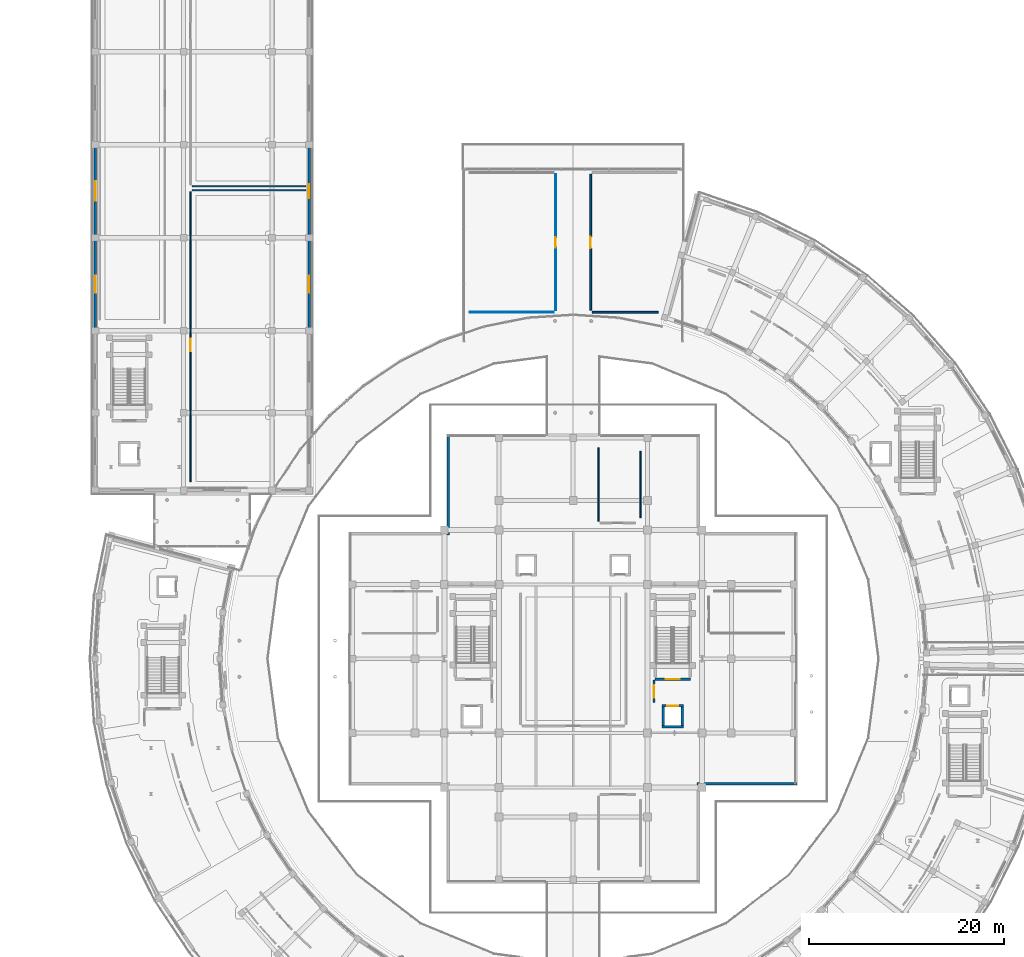
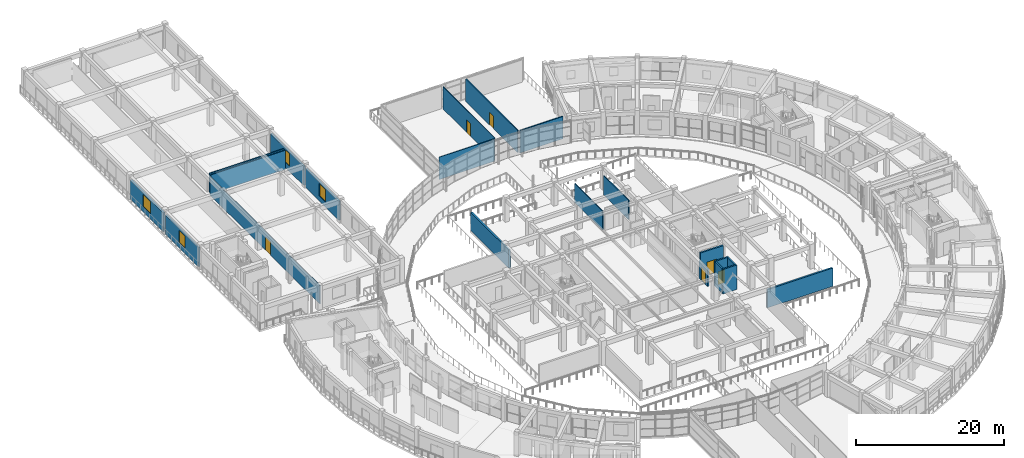
# One storey, part 59 of 83: 21 walls, 6 doors, 4 windows, 10 openings.
"""IFC4 building model written with IfcOpenShell, lengths in metres."""

from ifc_helpers import new_model, si_unit, direction, frame, frame_2d, origin, place, context, subcontext, project, spatial, rectangle, extrude, material, layer, layer_set, type_object, element, fill, save


model = new_model("IFC4")

# Units and contexts
model_context = context("Model", 3, precision=1e-05, world=origin(), true_north=direction((0.0, 1.0)))
body_context = subcontext(model_context, "Body", "Model", "MODEL_VIEW")
ifc_project = project(units=[si_unit("LENGTHUNIT", "METRE"), si_unit("AREAUNIT", "SQUARE_METRE"), si_unit("VOLUMEUNIT", "CUBIC_METRE"), si_unit("PLANEANGLEUNIT", "RADIAN"), si_unit("MASSUNIT", "GRAM", prefix="KILO")], contexts=[model_context])

# Site, building, storey
site_placement = place(None, origin())
site = spatial("IfcSite", under=ifc_project, at=site_placement, CompositionType="ELEMENT")
building_placement = place(site_placement, origin())
building = spatial("IfcBuilding", under=site, at=building_placement, Name="Saryqyr Civic Hall", CompositionType="ELEMENT")
storey_placement = place(building_placement, frame((0.0, 0.0, 9.14990234375)))
storey = spatial("IfcBuildingStorey", under=building, at=storey_placement, Name="L02", CompositionType="ELEMENT", Elevation=9.14990234375)

# Walls
ifc_material_1 = material(Name="Precast concrete C40/50", Category="concrete")
ifc_layer_1 = layer(ifc_material_1, 0.27001953125, Name="Precast concrete C40/50")
ifc_layer_set_1 = layer_set([ifc_layer_1], Name="Precast concrete C40/50")
wall_type_1 = type_object("IfcWallType", Name="ENV-WAL-EXT-270", PredefinedType="STANDARD", material=ifc_layer_set_1)
for number, where, z_axis, x_axis, name in (
    (1, (44.199951171875, 96.679931640625, 0.0), (0.0, 0.0, 1.0), (0.0, 1.0, 0.0), "Exterior wall V1-EW-L02-04"),
    (2, (79.919921875, 71.199951171875, 0.0), (0.0, 0.0, 1.0), (-1.0, 0.0, 0.0), "Exterior wall V1-EW-L02-09"),
):
    element("IfcWall", number, at=place(storey_placement, frame(where, z_axis=z_axis, x_axis=x_axis)), inside=storey, type_object=wall_type_1, Name=name, PredefinedType="STANDARD", context=body_context, shape_type="SweptSolid", body=[
        extrude(rectangle(XDim=10.239990234375, YDim=0.27001953125, at=frame_2d((5.1201171875, 0.0))), origin(), (0.0, 0.0, 1.0), 3.01513671875),
    ])

# Wall, opening, window
wall_1_placement = place(storey_placement, frame((29.949951171875, 136.375, 0.0), z_axis=(0.0, 0.0, 1.0), x_axis=(0.0, -1.0, 0.0)))
wall_1 = element("IfcWall", 3, at=wall_1_placement, inside=storey, type_object=wall_type_1, Name="Exterior wall V3-EW-L02-1-3", PredefinedType="STANDARD", context=body_context, shape_type="SweptSolid", body=[
    extrude(rectangle(XDim=8.9599609375, YDim=0.27001953125, at=frame_2d((4.47998046875, 0.0))), origin(), (0.0, 0.0, 1.0), 3.155029296875),
])
opening_1_placement = place(wall_1_placement, frame((3.780029296875, 0.0, 0.85009765625)))
opening_1 = element("IfcOpeningElement", 4, at=opening_1_placement, cuts=wall_1, Name="Opening W-31", PredefinedType="OPENING", context=body_context, shape_type="SweptSolid", body=[
    extrude(rectangle(XDim=1.39990234375, YDim=2.050048828125, at=frame_2d((0.699951171875, 1.02490234375))), frame((0.0, 0.14501953125, 0.0), z_axis=(0.0, -1.0, 0.0), x_axis=(1.0, 0.0, 0.0)), (0.0, 0.0, 1.0), 0.2900390625),
])
ifc_material_2 = material(Name="Anodised aluminium and triple low-E glass", Category="aluminium")
window_type_1 = type_object("IfcWindowType", Name="ENV-WIN-W31", PartitioningType="SINGLE_PANEL", PredefinedType="WINDOW", material=ifc_material_2)
window_1_placement = place(opening_1_placement, origin())
window_1 = element("IfcWindow", 5, at=window_1_placement, inside=storey, type_object=window_type_1, Name="Library window L02-1-3", OverallHeight=2.050048828125, OverallWidth=1.39990234375, PartitioningType="SINGLE_PANEL", PredefinedType="WINDOW", context=body_context, shape_type="SweptSolid", body=[
    extrude(rectangle(XDim=1.39990234375, YDim=2.050048828125, at=frame_2d((0.699951171875, 1.02490234375))), frame((0.0, 0.030029296875, 0.0), z_axis=(0.0, -1.0, 0.0), x_axis=(1.0, 0.0, 0.0)), (0.0, 0.0, 1.0), 0.06005859375),
])
fill(opening_1, window_1)

wall_2_placement = place(storey_placement, frame((29.949951171875, 126.844970703125, 0.0), z_axis=(0.0, 0.0, 1.0), x_axis=(0.0, -1.0, 0.0)))
wall_2 = element("IfcWall", 6, at=wall_2_placement, inside=storey, type_object=wall_type_1, Name="Exterior wall V3-EW-L02-1-4", PredefinedType="STANDARD", context=body_context, shape_type="SweptSolid", body=[
    extrude(rectangle(XDim=8.9599609375, YDim=0.27001953125, at=frame_2d((4.47998046875, 0.0))), origin(), (0.0, 0.0, 1.0), 3.155029296875),
])
opening_2_placement = place(wall_2_placement, frame((3.6298828125, 0.0, 0.85009765625)))
opening_2 = element("IfcOpeningElement", 7, at=opening_2_placement, cuts=wall_2, Name="Opening W-32", PredefinedType="OPENING", context=body_context, shape_type="SweptSolid", body=[
    extrude(rectangle(XDim=1.699951171875, YDim=2.050048828125, at=frame_2d((0.85009765625, 1.02490234375))), frame((0.0, 0.14501953125, 0.0), z_axis=(0.0, -1.0, 0.0), x_axis=(1.0, 0.0, 0.0)), (0.0, 0.0, 1.0), 0.2900390625),
])
window_type_2 = type_object("IfcWindowType", Name="ENV-WIN-W32", PartitioningType="SINGLE_PANEL", PredefinedType="WINDOW", material=ifc_material_2)
window_2_placement = place(opening_2_placement, origin())
window_2 = element("IfcWindow", 8, at=window_2_placement, inside=storey, type_object=window_type_2, Name="Library window L02-1-4", OverallHeight=2.050048828125, OverallWidth=1.699951171875, PartitioningType="SINGLE_PANEL", PredefinedType="WINDOW", context=body_context, shape_type="SweptSolid", body=[
    extrude(rectangle(XDim=1.699951171875, YDim=2.050048828125, at=frame_2d((0.85009765625, 1.02490234375))), frame((0.0, 0.030029296875, 0.0), z_axis=(0.0, -1.0, 0.0), x_axis=(1.0, 0.0, 0.0)), (0.0, 0.0, 1.0), 0.06005859375),
])
fill(opening_2, window_2)

wall_3_placement = place(storey_placement, frame((8.050048828125, 117.885009765625, 0.0), z_axis=(0.0, 0.0, 1.0), x_axis=(0.0, 1.0, 0.0)))
wall_3 = element("IfcWall", 9, at=wall_3_placement, inside=storey, type_object=wall_type_1, Name="Exterior wall V3-EW-L02-3-2", PredefinedType="STANDARD", context=body_context, shape_type="SweptSolid", body=[
    extrude(rectangle(XDim=8.9599609375, YDim=0.27001953125, at=frame_2d((4.47998046875, 0.0))), origin(), (0.0, 0.0, 1.0), 3.1650390625),
])
opening_3_placement = place(wall_3_placement, frame((3.6298828125, 0.0, 0.85009765625)))
opening_3 = element("IfcOpeningElement", 10, at=opening_3_placement, cuts=wall_3, Name="Opening W-32", PredefinedType="OPENING", context=body_context, shape_type="SweptSolid", body=[
    extrude(rectangle(XDim=1.699951171875, YDim=2.050048828125, at=frame_2d((0.85009765625, 1.02490234375))), frame((0.0, 0.14501953125, 0.0), z_axis=(0.0, -1.0, 0.0), x_axis=(1.0, 0.0, 0.0)), (0.0, 0.0, 1.0), 0.2900390625),
])
window_3_placement = place(opening_3_placement, origin())
window_3 = element("IfcWindow", 11, at=window_3_placement, inside=storey, type_object=window_type_2, Name="Library window L02-3-2", OverallHeight=2.050048828125, OverallWidth=1.699951171875, PartitioningType="SINGLE_PANEL", PredefinedType="WINDOW", context=body_context, shape_type="SweptSolid", body=[
    extrude(rectangle(XDim=1.699951171875, YDim=2.050048828125, at=frame_2d((0.85009765625, 1.02490234375))), frame((0.0, 0.030029296875, 0.0), z_axis=(0.0, -1.0, 0.0), x_axis=(1.0, 0.0, 0.0)), (0.0, 0.0, 1.0), 0.06005859375),
])
fill(opening_3, window_3)

wall_4_placement = place(storey_placement, frame((8.050048828125, 127.4150390625, 0.0), z_axis=(0.0, 0.0, 1.0), x_axis=(0.0, 1.0, 0.0)))
wall_4 = element("IfcWall", 12, at=wall_4_placement, inside=storey, type_object=wall_type_1, Name="Exterior wall V3-EW-L02-3-3", PredefinedType="STANDARD", context=body_context, shape_type="SweptSolid", body=[
    extrude(rectangle(XDim=8.9599609375, YDim=0.27001953125, at=frame_2d((4.47998046875, 0.0))), origin(), (0.0, 0.0, 1.0), 3.1650390625),
])
opening_4_placement = place(wall_4_placement, frame((3.47998046875, 0.0, 0.85009765625)))
opening_4 = element("IfcOpeningElement", 13, at=opening_4_placement, cuts=wall_4, Name="Opening W-33", PredefinedType="OPENING", context=body_context, shape_type="SweptSolid", body=[
    extrude(rectangle(XDim=2.0, YDim=2.050048828125, at=frame_2d((1.0, 1.02490234375))), frame((0.0, 0.14501953125, 0.0), z_axis=(0.0, -1.0, 0.0), x_axis=(1.0, 0.0, 0.0)), (0.0, 0.0, 1.0), 0.2900390625),
])
window_type_3 = type_object("IfcWindowType", Name="ENV-WIN-W33", PartitioningType="SINGLE_PANEL", PredefinedType="WINDOW", material=ifc_material_2)
window_4_placement = place(opening_4_placement, origin())
window_4 = element("IfcWindow", 14, at=window_4_placement, inside=storey, type_object=window_type_3, Name="Library window L02-3-3", OverallHeight=2.050048828125, OverallWidth=2.0, PartitioningType="SINGLE_PANEL", PredefinedType="WINDOW", context=body_context, shape_type="SweptSolid", body=[
    extrude(rectangle(XDim=2.0, YDim=2.050048828125, at=frame_2d((1.0, 1.02490234375))), frame((0.0, 0.030029296875, 0.0), z_axis=(0.0, -1.0, 0.0), x_axis=(1.0, 0.0, 0.0)), (0.0, 0.0, 1.0), 0.06005859375),
])
fill(opening_4, window_4)

# Wall, opening, door
ifc_material_3 = material(Name="Autoclaved aerated concrete blockwork", Category="masonry")
ifc_layer_2 = layer(ifc_material_3, 0.199951171875, Name="Autoclaved aerated concrete blockwork")
ifc_layer_set_2 = layer_set([ifc_layer_2], Name="Autoclaved aerated concrete blockwork")
wall_type_2 = type_object("IfcWallType", Name="INT-WAL-FIR-200", PredefinedType="PARTITIONING", material=ifc_layer_set_2)
wall_5_placement = place(storey_placement, frame((65.300048828125, 79.5, 0.0), z_axis=(0.0, 0.0, 1.0), x_axis=(0.0, 1.0, 0.0)))
wall_5 = element("IfcWall", 15, at=wall_5_placement, inside=storey, type_object=wall_type_2, Name="Firefighting lift lobby enclosure wall LF-02 L02", PredefinedType="PARTITIONING", context=body_context, shape_type="SweptSolid", body=[
    extrude(rectangle(XDim=2.300048828125, YDim=0.199951171875, at=frame_2d((1.14990234375, 0.0))), origin(), (0.0, 0.0, 1.0), 2.900146484375),
])
opening_5_placement = place(wall_5_placement, frame((0.5, 0.0, 0.0)))
opening_5 = element("IfcOpeningElement", 16, at=opening_5_placement, cuts=wall_5, Name="Opening FD-01", PredefinedType="OPENING", context=body_context, shape_type="SweptSolid", body=[
    extrude(rectangle(XDim=1.300048828125, YDim=2.199951171875, at=frame_2d((0.64990234375, 1.10009765625))), frame((0.0, 0.10986328125, 0.0), z_axis=(0.0, -1.0, 0.0), x_axis=(1.0, 0.0, 0.0)), (0.0, 0.0, 1.0), 0.219970703125),
])
ifc_material_4 = material(Name="Painted galvanized steel", Category="steel")
door_type_1 = type_object("IfcDoorType", Name="INT-DR-FFLOB-1300x2200", OperationType="NOTDEFINED", PredefinedType="DOOR", material=ifc_material_4)
door_1_placement = place(opening_5_placement, origin())
door_1 = element("IfcDoor", 17, at=door_1_placement, inside=storey, type_object=door_type_1, Name="Firefighting lift lobby smoke-control door LF-02 L02", OperationType="SINGLE_SWING_LEFT", OverallHeight=2.199951171875, OverallWidth=1.300048828125, PredefinedType="DOOR", context=body_context, shape_type="SweptSolid", body=[
    extrude(rectangle(XDim=1.300048828125, YDim=2.199951171875, at=frame_2d((0.64990234375, 1.10009765625))), frame((0.0, 0.02490234375, 0.0), z_axis=(0.0, -1.0, 0.0), x_axis=(1.0, 0.0, 0.0)), (0.0, 0.0, 1.0), 0.050048828125),
])
fill(opening_5, door_1)

ifc_material_5 = material(Name="Lightweight demountable partition", Category="gypsum")
ifc_layer_3 = layer(ifc_material_5, 0.094970703125, Name="Lightweight demountable partition")
ifc_layer_set_3 = layer_set([ifc_layer_3], Name="Lightweight demountable partition")
wall_type_3 = type_object("IfcWallType", Name="INT-WAL-PRT-095", PredefinedType="PARTITIONING", material=ifc_layer_set_3)
wall_6_placement = place(storey_placement, frame((55.199951171875, 133.6201171875, 0.0), z_axis=(0.0, 0.0, 1.0), x_axis=(0.0, -1.0, 0.0)))
wall_6 = element("IfcWall", 18, at=wall_6_placement, inside=storey, type_object=wall_type_3, Name="Interior partition PRT-SP-V2-L02-NGAL-W1", PredefinedType="PARTITIONING", context=body_context, shape_type="SweptSolid", body=[
    extrude(rectangle(XDim=13.940185546875, YDim=0.094970703125, at=frame_2d((6.97021484375, 0.0))), origin(), (0.0, 0.0, 1.0), 3.690185546875),
])
opening_6_placement = place(wall_6_placement, frame((6.419921875, 0.0, 0.0)))
opening_6 = element("IfcOpeningElement", 19, at=opening_6_placement, cuts=wall_6, Name="Opening D-05", PredefinedType="OPENING", context=body_context, shape_type="SweptSolid", body=[
    extrude(rectangle(XDim=1.10009765625, YDim=2.10009765625, at=frame_2d((0.550048828125, 1.050048828125))), frame((0.0, 0.057373046875, 0.0), z_axis=(0.0, -1.0, 0.0), x_axis=(1.0, 0.0, 0.0)), (0.0, 0.0, 1.0), 0.114990234375),
])
ifc_material_6 = material(Name="Acoustic solid-core oak veneer", Category="wood")
door_type_2 = type_object("IfcDoorType", Name="INT-DR-D-05", OperationType="NOTDEFINED", PredefinedType="DOOR", material=ifc_material_6)
door_2_placement = place(opening_6_placement, origin())
door_2 = element("IfcDoor", 20, at=door_2_placement, inside=storey, type_object=door_type_2, Name="Interior door North-West Skylight Exhibition Balcony", OperationType="SINGLE_SWING_LEFT", OverallHeight=2.10009765625, OverallWidth=1.10009765625, PredefinedType="DOOR", context=body_context, shape_type="SweptSolid", body=[
    extrude(rectangle(XDim=1.10009765625, YDim=2.10009765625, at=frame_2d((0.550048828125, 1.050048828125))), frame((0.0, 0.02490234375, 0.0), z_axis=(0.0, -1.0, 0.0), x_axis=(1.0, 0.0, 0.0)), (0.0, 0.0, 1.0), 0.050048828125),
])
fill(opening_6, door_2)

# Walls
wall_7_placement = place(storey_placement, frame((55.02001953125, 119.5, 0.0), z_axis=(0.0, 0.0, 1.0), x_axis=(-1.0, 0.0, 0.0)))
element("IfcWall", 21, at=wall_7_placement, inside=storey, type_object=wall_type_3, Name="Interior partition PRT-SP-V2-L02-NGAL-W2", PredefinedType="PARTITIONING", context=body_context, shape_type="SweptSolid", body=[
    extrude(rectangle(XDim=8.64013671875, YDim=0.094970703125, at=frame_2d((4.320068359375, 0.0))), origin(), (0.0, 0.0, 1.0), 3.690185546875),
])
ifc_material_7 = material(Name="Metal-stud gypsum board partition", Category="gypsum")
ifc_layer_4 = layer(ifc_material_7, 0.125, Name="Metal-stud gypsum board partition")
ifc_layer_set_4 = layer_set([ifc_layer_4], Name="Metal-stud gypsum board partition")
wall_type_4 = type_object("IfcWallType", Name="INT-WAL-PRT-125", PredefinedType="PARTITIONING", material=ifc_layer_set_4)
wall_8_placement = place(storey_placement, frame((59.60009765625, 98.080078125, 0.0), z_axis=(0.0, 0.0, 1.0), x_axis=(0.0, 1.0, 0.0)))
element("IfcWall", 22, at=wall_8_placement, inside=storey, type_object=wall_type_4, Name="Interior partition PRT-SP-V1-L02-R03-W2", PredefinedType="PARTITIONING", context=body_context, shape_type="SweptSolid", body=[
    extrude(rectangle(XDim=7.5400390625, YDim=0.125, at=frame_2d((3.77001953125, 0.0))), origin(), (0.0, 0.0, 1.0), 3.1650390625),
])
wall_9_placement = place(storey_placement, frame((63.89990234375, 105.25, 0.0), z_axis=(0.0, 0.0, 1.0), x_axis=(0.0, -1.0, 0.0)))
element("IfcWall", 23, at=wall_9_placement, inside=storey, type_object=wall_type_4, Name="Interior partition PRT-SP-V1-L02-R03-W3", PredefinedType="PARTITIONING", context=body_context, shape_type="SweptSolid", body=[
    extrude(rectangle(XDim=6.800048828125, YDim=0.125, at=frame_2d((3.39990234375, 0.0))), origin(), (0.0, 0.0, 1.0), 3.1650390625),
])
wall_10_placement = place(storey_placement, frame((29.6201171875, 132.39990234375, 0.0), z_axis=(0.0, 0.0, 1.0), x_axis=(-1.0, 0.0, 0.0)))
element("IfcWall", 24, at=wall_10_placement, inside=storey, type_object=wall_type_4, Name="Interior partition PRT-SP-V3-L02-R02-W2", PredefinedType="PARTITIONING", context=body_context, shape_type="SweptSolid", body=[
    extrude(rectangle(XDim=11.64013671875, YDim=0.125, at=frame_2d((5.820068359375, 0.0))), origin(), (0.0, 0.0, 1.0), 3.155029296875),
])

# Wall, opening, door
ifc_layer_5 = layer(ifc_material_7, 0.139892578125, Name="Metal-stud gypsum board partition")
ifc_layer_set_5 = layer_set([ifc_layer_5], Name="Metal-stud gypsum board partition")
wall_type_5 = type_object("IfcWallType", Name="INT-WAL-PRT-140", PredefinedType="PARTITIONING", material=ifc_layer_set_5)
wall_11_placement = place(storey_placement, frame((17.800048828125, 102.14990234375, 0.0), z_axis=(0.0, 0.0, 1.0), x_axis=(0.0, 1.0, 0.0)))
wall_11 = element("IfcWall", 25, at=wall_11_placement, inside=storey, type_object=wall_type_5, Name="Interior partition PRT-SP-V3-L02-R01-W1", PredefinedType="PARTITIONING", context=body_context, shape_type="SweptSolid", body=[
    extrude(rectangle(XDim=29.670166015625, YDim=0.139892578125, at=frame_2d((14.8349609375, 0.0))), origin(), (0.0, 0.0, 1.0), 3.01513671875),
])
opening_7_placement = place(wall_11_placement, frame((13.3349609375, 0.0, 0.0)))
opening_7 = element("IfcOpeningElement", 26, at=opening_7_placement, cuts=wall_11, Name="Opening D-12", PredefinedType="OPENING", context=body_context, shape_type="SweptSolid", body=[
    extrude(rectangle(XDim=1.300048828125, YDim=2.219970703125, at=frame_2d((0.64990234375, 1.10986328125))), frame((0.0, 0.079833984375, 0.0), z_axis=(0.0, -1.0, 0.0), x_axis=(1.0, 0.0, 0.0)), (0.0, 0.0, 1.0), 0.159912109375),
])
door_type_3 = type_object("IfcDoorType", Name="INT-DR-D-12", OperationType="NOTDEFINED", PredefinedType="DOOR", material=ifc_material_6)
door_3_placement = place(opening_7_placement, origin())
door_3 = element("IfcDoor", 27, at=door_3_placement, inside=storey, type_object=door_type_3, Name="Interior door Legislative Reference Law Stacks", OperationType="SINGLE_SWING_RIGHT", OverallHeight=2.219970703125, OverallWidth=1.300048828125, PredefinedType="DOOR", context=body_context, shape_type="SweptSolid", body=[
    extrude(rectangle(XDim=1.300048828125, YDim=2.219970703125, at=frame_2d((0.64990234375, 1.10986328125))), frame((0.0, 0.02490234375, 0.0), z_axis=(0.0, -1.0, 0.0), x_axis=(1.0, 0.0, 0.0)), (0.0, 0.0, 1.0), 0.050048828125),
])
fill(opening_7, door_3)

# Wall
wall_12_placement = place(storey_placement, frame((17.97998046875, 132.0, 0.0), z_axis=(0.0, 0.0, 1.0), x_axis=(1.0, 0.0, 0.0)))
element("IfcWall", 28, at=wall_12_placement, inside=storey, type_object=wall_type_5, Name="Interior partition PRT-SP-V3-L02-R01-W2", PredefinedType="PARTITIONING", context=body_context, shape_type="SweptSolid", body=[
    extrude(rectangle(XDim=11.64013671875, YDim=0.139892578125, at=frame_2d((5.820068359375, 0.0))), origin(), (0.0, 0.0, 1.0), 3.155029296875),
])

# Wall, opening, door
ifc_material_8 = material(Name="Acoustic double-stud gypsum board", Category="gypsum")
ifc_layer_6 = layer(ifc_material_8, 0.169921875, Name="Acoustic double-stud gypsum board")
ifc_layer_set_6 = layer_set([ifc_layer_6], Name="Acoustic double-stud gypsum board")
wall_type_6 = type_object("IfcWallType", Name="INT-WAL-PRT-170", PredefinedType="PARTITIONING", material=ifc_layer_set_6)
wall_13_placement = place(storey_placement, frame((58.800048828125, 119.679931640625, 0.0), z_axis=(0.0, 0.0, 1.0), x_axis=(0.0, 1.0, 0.0)))
wall_13 = element("IfcWall", 29, at=wall_13_placement, inside=storey, type_object=wall_type_6, Name="Interior partition PRT-SP-V2-L02-NEGAL-W1", PredefinedType="PARTITIONING", context=body_context, shape_type="SweptSolid", body=[
    extrude(rectangle(XDim=13.940185546875, YDim=0.169921875, at=frame_2d((6.97021484375, 0.0))), origin(), (0.0, 0.0, 1.0), 3.690185546875),
])
opening_8_placement = place(wall_13_placement, frame((6.3701171875, 0.0, 0.0)))
opening_8 = element("IfcOpeningElement", 30, at=opening_8_placement, cuts=wall_13, Name="Opening D-06", PredefinedType="OPENING", context=body_context, shape_type="SweptSolid", body=[
    extrude(rectangle(XDim=1.199951171875, YDim=2.10009765625, at=frame_2d((0.60009765625, 1.050048828125))), frame((0.0, 0.094970703125, 0.0), z_axis=(0.0, -1.0, 0.0), x_axis=(1.0, 0.0, 0.0)), (0.0, 0.0, 1.0), 0.18994140625),
])
door_type_4 = type_object("IfcDoorType", Name="INT-DR-D-06", OperationType="NOTDEFINED", PredefinedType="DOOR", material=ifc_material_6)
door_4_placement = place(opening_8_placement, origin())
door_4 = element("IfcDoor", 31, at=door_4_placement, inside=storey, type_object=door_type_4, Name="Interior door North-East Skylight Exhibition Salon", OperationType="SINGLE_SWING_RIGHT", OverallHeight=2.10009765625, OverallWidth=1.199951171875, PredefinedType="DOOR", context=body_context, shape_type="SweptSolid", body=[
    extrude(rectangle(XDim=1.199951171875, YDim=2.10009765625, at=frame_2d((0.60009765625, 1.050048828125))), frame((0.0, 0.02490234375, 0.0), z_axis=(0.0, -1.0, 0.0), x_axis=(1.0, 0.0, 0.0)), (0.0, 0.0, 1.0), 0.050048828125),
])
fill(opening_8, door_4)

# Walls
wall_14_placement = place(storey_placement, frame((65.7138671875, 119.5, 0.0), z_axis=(0.0, 0.0, 1.0), x_axis=(-1.0, 0.0, 0.0)))
element("IfcWall", 32, at=wall_14_placement, inside=storey, type_object=wall_type_6, Name="Interior partition PRT-SP-V2-L02-NEGAL-W2", PredefinedType="PARTITIONING", context=body_context, shape_type="SweptSolid", body=[
    extrude(rectangle(XDim=6.73388671875, YDim=0.169921875, at=frame_2d((3.366943359375, 0.0))), origin(), (0.0, 0.0, 1.0), 3.690185546875),
])
ifc_material_9 = material(Name="Concrete C40/50", Category="concrete")
ifc_layer_7 = layer(ifc_material_9, 0.239990234375, Name="Concrete C40/50")
ifc_layer_set_7 = layer_set([ifc_layer_7], Name="Concrete C40/50")
wall_type_7 = type_object("IfcWallType", Name="INT-WAL-SHR-240", PredefinedType="SHEAR", material=ifc_layer_set_7)
wall_15_placement = place(storey_placement, frame((68.300048828125, 77.02001953125, 0.0), z_axis=(0.0, 0.0, 1.0), x_axis=(-1.0, 0.0, 0.0)))
element("IfcWall", 33, at=wall_15_placement, inside=storey, type_object=wall_type_7, Name="Lift shaft shear wall LF-02-SHW-S-L02", PredefinedType="SHEAR", context=body_context, shape_type="SweptSolid", body=[
    extrude(rectangle(XDim=2.199951171875, YDim=0.239990234375, at=frame_2d((1.10009765625, 0.0))), origin(), (0.0, 0.0, 1.0), 4.050048828125),
])
wall_16_placement = place(storey_placement, frame((68.179931640625, 79.06005859375, 0.0), z_axis=(0.0, 0.0, 1.0), x_axis=(0.0, -1.0, 0.0)))
element("IfcWall", 34, at=wall_16_placement, inside=storey, type_object=wall_type_7, Name="Lift shaft shear wall LF-02-SHW-E-L02", PredefinedType="SHEAR", context=body_context, shape_type="SweptSolid", body=[
    extrude(rectangle(XDim=1.920166015625, YDim=0.239990234375, at=frame_2d((0.9599609375, 0.0))), origin(), (0.0, 0.0, 1.0), 4.050048828125),
])

# Wall, opening, door
wall_17_placement = place(storey_placement, frame((66.10009765625, 79.179931640625, 0.0), z_axis=(0.0, 0.0, 1.0), x_axis=(1.0, 0.0, 0.0)))
wall_17 = element("IfcWall", 35, at=wall_17_placement, inside=storey, type_object=wall_type_7, Name="Lift shaft shear wall LF-02-SHW-N-L02", PredefinedType="SHEAR", context=body_context, shape_type="SweptSolid", body=[
    extrude(rectangle(XDim=2.199951171875, YDim=0.239990234375, at=frame_2d((1.10009765625, 0.0))), origin(), (0.0, 0.0, 1.0), 4.050048828125),
])
opening_9_placement = place(wall_17_placement, frame((0.550048828125, 0.0, 0.0)))
opening_9 = element("IfcOpeningElement", 36, at=opening_9_placement, cuts=wall_17, Name="Opening LD-01", PredefinedType="OPENING", context=body_context, shape_type="SweptSolid", body=[
    extrude(rectangle(XDim=1.10009765625, YDim=2.14990234375, at=frame_2d((0.550048828125, 1.074951171875))), frame((0.0, 0.1298828125, 0.0), z_axis=(0.0, -1.0, 0.0), x_axis=(1.0, 0.0, 0.0)), (0.0, 0.0, 1.0), 0.260009765625),
])
ifc_material_10 = material(Name="Brushed stainless steel", Category="steel")
door_type_5 = type_object("IfcDoorType", Name="INT-DR-LD-1100x2150", OperationType="NOTDEFINED", PredefinedType="DOOR", material=ifc_material_10)
door_5_placement = place(opening_9_placement, origin())
door_5 = element("IfcDoor", 37, at=door_5_placement, inside=storey, type_object=door_type_5, Name="Lift sliding landing door LF-02 L02", OperationType="SLIDING_TO_RIGHT", OverallHeight=2.14990234375, OverallWidth=1.10009765625, PredefinedType="DOOR", context=body_context, shape_type="SweptSolid", body=[
    extrude(rectangle(XDim=1.10009765625, YDim=2.14990234375, at=frame_2d((0.550048828125, 1.074951171875))), frame((0.0, 0.02490234375, 0.0), z_axis=(0.0, -1.0, 0.0), x_axis=(1.0, 0.0, 0.0)), (0.0, 0.0, 1.0), 0.050048828125),
])
fill(opening_9, door_5)

# Wall
wall_18_placement = place(storey_placement, frame((66.219970703125, 77.139892578125, 0.0), z_axis=(0.0, 0.0, 1.0), x_axis=(0.0, 1.0, 0.0)))
element("IfcWall", 38, at=wall_18_placement, inside=storey, type_object=wall_type_7, Name="Lift shaft shear wall LF-02-SHW-W-L02", PredefinedType="SHEAR", context=body_context, shape_type="SweptSolid", body=[
    extrude(rectangle(XDim=1.920166015625, YDim=0.239990234375, at=frame_2d((0.9599609375, 0.0))), origin(), (0.0, 0.0, 1.0), 4.050048828125),
])

# Wall, opening, door
ifc_layer_8 = layer(ifc_material_9, 0.25, Name="Concrete C40/50")
ifc_layer_set_8 = layer_set([ifc_layer_8], Name="Concrete C40/50")
wall_type_8 = type_object("IfcWallType", Name="INT-WAL-SHR-250", PredefinedType="SHEAR", material=ifc_layer_set_8)
wall_19_placement = place(storey_placement, frame((69.0, 81.89990234375, 0.0), z_axis=(0.0, 0.0, 1.0), x_axis=(-1.0, 0.0, 0.0)))
wall_19 = element("IfcWall", 39, at=wall_19_placement, inside=storey, type_object=wall_type_8, Name="Protected stair shaft wall ST-2-SW1-L02", PredefinedType="SHEAR", context=body_context, shape_type="SweptSolid", body=[
    extrude(rectangle(XDim=3.60009765625, YDim=0.25, at=frame_2d((1.800048828125, 0.0))), origin(), (0.0, 0.0, 1.0), 4.050048828125),
])
opening_10_placement = place(wall_19_placement, frame((1.074951171875, 0.0, 0.0)))
opening_10 = element("IfcOpeningElement", 40, at=opening_10_placement, cuts=wall_19, Name="Opening SD-02", PredefinedType="OPENING", context=body_context, shape_type="SweptSolid", body=[
    extrude(rectangle(XDim=1.449951171875, YDim=2.199951171875, at=frame_2d((0.72509765625, 1.10009765625))), frame((0.0, 0.135009765625, 0.0), z_axis=(0.0, -1.0, 0.0), x_axis=(1.0, 0.0, 0.0)), (0.0, 0.0, 1.0), 0.27001953125),
])
door_type_6 = type_object("IfcDoorType", Name="INT-DR-STAIR-1450x2200", OperationType="NOTDEFINED", PredefinedType="DOOR", material=ifc_material_4)
door_6_placement = place(opening_10_placement, origin())
door_6 = element("IfcDoor", 41, at=door_6_placement, inside=storey, type_object=door_type_6, Name="Exit stair landing fire door ST-2-L02", OperationType="SINGLE_SWING_LEFT", OverallHeight=2.199951171875, OverallWidth=1.449951171875, PredefinedType="DOOR", context=body_context, shape_type="SweptSolid", body=[
    extrude(rectangle(XDim=1.449951171875, YDim=2.199951171875, at=frame_2d((0.72509765625, 1.10009765625))), frame((0.0, 0.02490234375, 0.0), z_axis=(0.0, -1.0, 0.0), x_axis=(1.0, 0.0, 0.0)), (0.0, 0.0, 1.0), 0.050048828125),
])
fill(opening_10, door_6)

save(model, "model.ifc")
